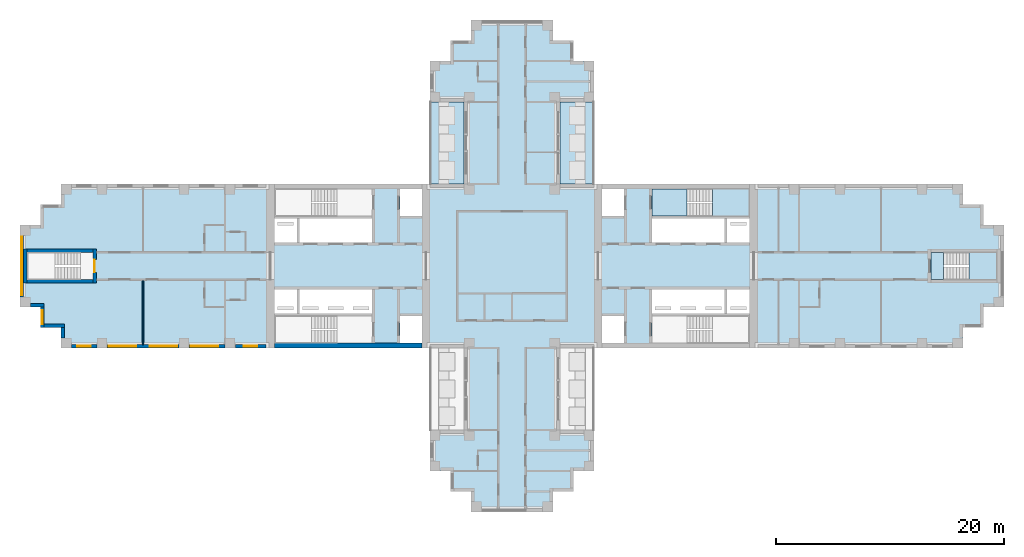
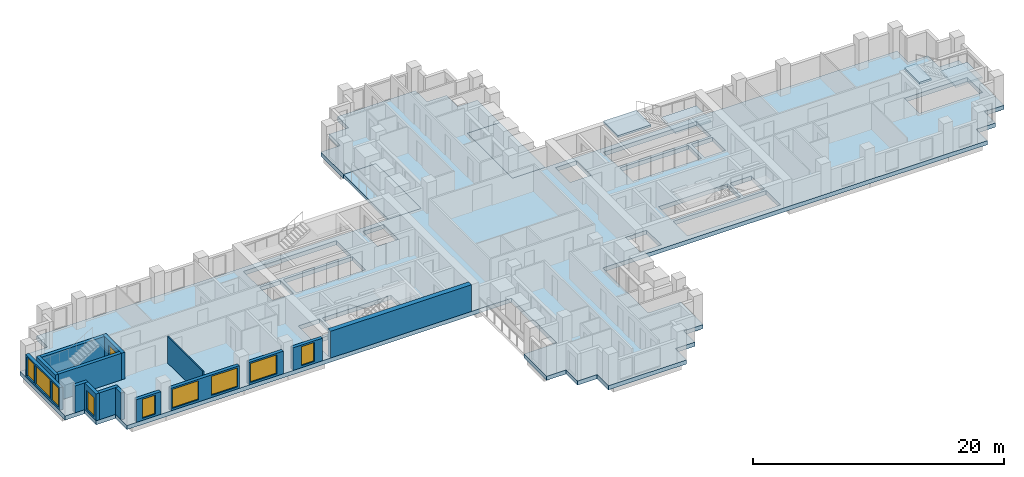
# One storey, part 2 of 11: 15 walls, 9 windows, 7 slabs, 1 door, 10 openings, 2 elements without a shape of their own.
"""IFC4 building model written with IfcOpenShell, lengths in metres."""

from ifc_helpers import new_model, si_unit, direction, frame, frame_2d, origin, place, context, subcontext, project, spatial, polyline, rectangle, outline, extrude, material, layer, layer_set, type_object, element, fill, aggregate, save


model = new_model("IFC4")

# Units and contexts
model_context = context("Model", 3, precision=1e-05, world=origin(), true_north=direction((0.0, 1.0)))
body_context = subcontext(model_context, "Body", "Model", "MODEL_VIEW")
ifc_project = project(units=[si_unit("LENGTHUNIT", "METRE"), si_unit("AREAUNIT", "SQUARE_METRE"), si_unit("VOLUMEUNIT", "CUBIC_METRE"), si_unit("PLANEANGLEUNIT", "RADIAN"), si_unit("MASSUNIT", "GRAM", prefix="KILO")], contexts=[model_context])

# Site, building, storey
site_placement = place(None, origin())
site = spatial("IfcSite", under=ifc_project, at=site_placement, CompositionType="ELEMENT")
building_placement = place(site_placement, origin())
building = spatial("IfcBuilding", under=site, at=building_placement, Name="Fustian Cross Tower", CompositionType="ELEMENT")
storey_placement = place(building_placement, frame((0.0, 0.0, 120.300048828125)))
storey = spatial("IfcBuildingStorey", under=building, at=storey_placement, Name="L37", CompositionType="ELEMENT", Elevation=120.300048828125)

# Slabs
ifc_material_1 = material(Name="Concrete C40/50", Category="concrete")
ifc_layer_1 = layer(ifc_material_1, 0.300048828125)
ifc_layer_set_1 = layer_set([ifc_layer_1], Name="Concrete C40/50")
slab_type_1 = type_object("IfcSlabType", Name="BS1 BALCONY SLAB 300", PredefinedType="FLOOR", material=ifc_layer_set_1)
slab_1_placement = place(storey_placement, frame((0.0, 0.0, -0.300048828125)))
element("IfcSlab", 1, at=slab_1_placement, inside=storey, type_object=slab_type_1, Name="Balcony slab", PredefinedType="FLOOR", context=body_context, shape_type="SweptSolid", body=[
    extrude(outline(polyline([(4.199951171875, 7.199951171875), (7.199951171875, 7.199951171875), (7.199951171875, 14.39990234375), (4.199951171875, 14.39990234375), (4.199951171875, 7.199951171875)])), origin(), (0.0, 0.0, 1.0), 0.300048828125),
])
slab_2_placement = place(storey_placement, frame((0.0, 0.0, -0.300048828125)))
element("IfcSlab", 2, at=slab_2_placement, inside=storey, type_object=slab_type_1, Name="Balcony slab", PredefinedType="FLOOR", context=body_context, shape_type="SweptSolid", body=[
    extrude(outline(polyline([(-7.199951171875, 7.199951171875), (-4.199951171875, 7.199951171875), (-4.199951171875, 14.39990234375), (-7.199951171875, 14.39990234375), (-7.199951171875, 7.199951171875)])), origin(), (0.0, 0.0, 1.0), 0.300048828125),
])
ifc_material_2 = material(Name="Concrete C40/50", Category="concrete")
ifc_layer_2 = layer(ifc_material_2, 0.39990234375)
ifc_layer_set_2 = layer_set([ifc_layer_2], Name="Concrete C40/50")
slab_type_2 = type_object("IfcSlabType", Name="FLAT SLAB 400", PredefinedType="FLOOR", material=ifc_layer_set_2)
slab_3_placement = place(storey_placement, frame((0.0, 0.0, -0.400146484375)))
element("IfcSlab", 3, at=slab_3_placement, inside=storey, type_object=slab_type_2, Name="FLOOR SLAB L37-1", PredefinedType="FLOOR", context=body_context, shape_type="SweptSolid", body=[
    extrude(outline(polyline([(-4.199951171875, -7.199951171875), (-39.60009765625, -7.199951171875), (-39.60009765625, -5.39990234375), (-41.39990234375, -5.39990234375), (-41.39990234375, -3.60009765625), (-43.199951171875, -3.60009765625), (-43.199951171875, 3.60009765625), (-41.39990234375, 3.60009765625), (-41.39990234375, 5.39990234375), (-39.60009765625, 5.39990234375), (-39.60009765625, 7.199951171875), (-4.199951171875, 7.199951171875), (-4.199951171875, 14.39990234375), (-7.199951171875, 14.39990234375), (-7.199951171875, 18.0), (-5.39990234375, 18.0), (-5.39990234375, 19.800048828125), (-3.60009765625, 19.800048828125), (-3.60009765625, 21.60009765625), (3.60009765625, 21.60009765625), (3.60009765625, 19.800048828125), (5.39990234375, 19.800048828125), (5.39990234375, 18.0), (7.199951171875, 18.0), (7.199951171875, 14.39990234375), (4.199951171875, 14.39990234375), (4.199951171875, 7.199951171875), (39.60009765625, 7.199951171875), (39.60009765625, 5.39990234375), (41.39990234375, 5.39990234375), (41.39990234375, 3.60009765625), (43.199951171875, 3.60009765625), (43.199951171875, -3.60009765625), (41.39990234375, -3.60009765625), (41.39990234375, -5.39990234375), (39.60009765625, -5.39990234375), (39.60009765625, -7.199951171875), (4.199951171875, -7.199951171875), (4.199951171875, -14.39990234375), (7.199951171875, -14.39990234375), (7.199951171875, -18.0), (5.39990234375, -18.0), (5.39990234375, -19.800048828125), (3.60009765625, -19.800048828125), (3.60009765625, -21.60009765625), (-3.60009765625, -21.60009765625), (-3.60009765625, -19.800048828125), (-5.39990234375, -19.800048828125), (-5.39990234375, -18.0), (-7.199951171875, -18.0), (-7.199951171875, -14.39990234375), (-4.199951171875, -14.39990234375), (-4.199951171875, -7.199951171875)]), holes=[polyline([(18.89990234375, -2.050048828125), (18.89990234375, -4.14990234375), (20.85009765625, -4.14990234375), (20.85009765625, -2.050048828125), (18.89990234375, -2.050048828125)]), polyline([(20.85009765625, 4.14990234375), (18.89990234375, 4.14990234375), (18.89990234375, 2.050048828125), (20.85009765625, 2.050048828125), (20.85009765625, 4.14990234375)]), polyline([(9.85009765625, 4.39990234375), (9.85009765625, 6.75), (7.89990234375, 6.75), (7.89990234375, 4.39990234375), (9.85009765625, 4.39990234375)]), polyline([(7.89990234375, -6.75), (9.85009765625, -6.75), (9.85009765625, -4.39990234375), (7.89990234375, -4.39990234375), (7.89990234375, -6.75)]), polyline([(-20.85009765625, -2.050048828125), (-20.85009765625, -4.14990234375), (-18.89990234375, -4.14990234375), (-18.89990234375, -2.050048828125), (-20.85009765625, -2.050048828125)]), polyline([(-18.89990234375, 4.14990234375), (-20.85009765625, 4.14990234375), (-20.85009765625, 2.050048828125), (-18.89990234375, 2.050048828125), (-18.89990234375, 4.14990234375)]), polyline([(-7.89990234375, 4.39990234375), (-7.89990234375, 6.75), (-9.85009765625, 6.75), (-9.85009765625, 4.39990234375), (-7.89990234375, 4.39990234375)]), polyline([(-9.85009765625, -6.75), (-7.89990234375, -6.75), (-7.89990234375, -4.39990234375), (-9.85009765625, -4.39990234375), (-9.85009765625, -6.75)]), polyline([(12.300048828125, -2.050048828125), (12.300048828125, -4.14990234375), (18.64990234375, -4.14990234375), (18.64990234375, -2.050048828125), (12.300048828125, -2.050048828125)]), polyline([(18.64990234375, 4.14990234375), (12.300048828125, 4.14990234375), (12.300048828125, 2.050048828125), (18.64990234375, 2.050048828125), (18.64990234375, 4.14990234375)]), polyline([(-12.300048828125, -4.14990234375), (-12.300048828125, -2.050048828125), (-18.64990234375, -2.050048828125), (-18.64990234375, -4.14990234375), (-12.300048828125, -4.14990234375)]), polyline([(-18.64990234375, 2.050048828125), (-12.300048828125, 2.050048828125), (-12.300048828125, 4.14990234375), (-18.64990234375, 4.14990234375), (-18.64990234375, 2.050048828125)]), polyline([(12.300048828125, 6.699951171875), (12.300048828125, 4.39990234375), (20.85009765625, 4.39990234375), (20.85009765625, 6.699951171875), (12.300048828125, 6.699951171875)]), polyline([(20.85009765625, -4.39990234375), (12.300048828125, -4.39990234375), (12.300048828125, -6.699951171875), (20.85009765625, -6.699951171875), (20.85009765625, -4.39990234375)]), polyline([(-12.300048828125, 4.39990234375), (-12.300048828125, 6.699951171875), (-20.85009765625, 6.699951171875), (-20.85009765625, 4.39990234375), (-12.300048828125, 4.39990234375)]), polyline([(-20.85009765625, -6.699951171875), (-12.300048828125, -6.699951171875), (-12.300048828125, -4.39990234375), (-20.85009765625, -4.39990234375), (-20.85009765625, -6.699951171875)]), polyline([(36.800048828125, 1.199951171875), (36.800048828125, -1.199951171875), (42.60009765625, -1.199951171875), (42.60009765625, 1.199951171875), (36.800048828125, 1.199951171875)]), polyline([(-36.800048828125, 1.199951171875), (-42.60009765625, 1.199951171875), (-42.60009765625, -1.199951171875), (-36.800048828125, -1.199951171875), (-36.800048828125, 1.199951171875)])]), origin(), (0.0, 0.0, 1.0), 0.400146484375),
])

# Stair, slabs
ifc_material_3 = material(Name="Concrete C50/60", Category="concrete")
stair_type_1 = type_object("IfcStairType", Name="STAIR 1150 HALF TURN", PredefinedType="HALF_TURN_STAIR", material=ifc_material_3)
stair_1_placement = place(storey_placement, origin())
stair_1 = element("IfcStair", 4, at=stair_1_placement, inside=storey, type_object=stair_type_1, Name="Stair ST1", PredefinedType="HALF_TURN_STAIR")
ifc_material_4 = material(Name="Concrete C50/60", Category="concrete")
ifc_layer_3 = layer(ifc_material_4, 0.199951171875)
ifc_layer_set_3 = layer_set([ifc_layer_3], Name="Concrete C50/60")
slab_type_3 = type_object("IfcSlabType", Name="STAIR LANDING", PredefinedType="LANDING", material=ifc_layer_set_3)
slab_4_placement = place(storey_placement, frame((0.0, 0.0, 1.300048828125)))
slab_4 = element("IfcSlab", 5, at=slab_4_placement, type_object=slab_type_3, Name="ST1 landing 1", PredefinedType="LANDING", context=body_context, shape_type="SweptSolid", body=[
    extrude(outline(polyline([(17.590087890625, 4.39990234375), (20.85009765625, 4.39990234375), (20.85009765625, 6.75), (17.590087890625, 6.75), (17.590087890625, 4.39990234375)])), origin(), (0.0, 0.0, 1.0), 0.199951171875),
])
slab_5_placement = place(storey_placement, frame((0.0, 0.0, 2.800048828125)))
slab_5 = element("IfcSlab", 6, at=slab_5_placement, type_object=slab_type_3, Name="ST1 landing 2", PredefinedType="LANDING", context=body_context, shape_type="SweptSolid", body=[
    extrude(outline(polyline([(12.300048828125, 4.39990234375), (15.35009765625, 4.39990234375), (15.35009765625, 6.75), (12.300048828125, 6.75), (12.300048828125, 4.39990234375)])), origin(), (0.0, 0.0, 1.0), 0.199951171875),
])
aggregate(stair_1, [slab_4, slab_5])

ifc_material_5 = material(Name="Concrete C50/60", Category="concrete")
stair_type_2 = type_object("IfcStairType", Name="STAIR 1100 HALF TURN", PredefinedType="HALF_TURN_STAIR", material=ifc_material_5)
stair_2_placement = place(storey_placement, origin())
stair_2 = element("IfcStair", 7, at=stair_2_placement, inside=storey, type_object=stair_type_2, Name="Stair ST8", PredefinedType="HALF_TURN_STAIR")
slab_6_placement = place(storey_placement, frame((0.0, 0.0, 1.300048828125)))
slab_6 = element("IfcSlab", 8, at=slab_6_placement, type_object=slab_type_3, Name="ST8 landing 1", PredefinedType="LANDING", context=body_context, shape_type="SweptSolid", body=[
    extrude(outline(polyline([(40.139892578125, -1.199951171875), (42.60009765625, -1.199951171875), (42.60009765625, 1.199951171875), (40.139892578125, 1.199951171875), (40.139892578125, -1.199951171875)])), origin(), (0.0, 0.0, 1.0), 0.199951171875),
])
slab_7_placement = place(storey_placement, frame((0.0, 0.0, 2.800048828125)))
slab_7 = element("IfcSlab", 9, at=slab_7_placement, type_object=slab_type_3, Name="ST8 landing 2", PredefinedType="LANDING", context=body_context, shape_type="SweptSolid", body=[
    extrude(outline(polyline([(36.800048828125, -1.199951171875), (37.89990234375, -1.199951171875), (37.89990234375, 1.199951171875), (36.800048828125, 1.199951171875), (36.800048828125, -1.199951171875)])), origin(), (0.0, 0.0, 1.0), 0.199951171875),
])
aggregate(stair_2, [slab_6, slab_7])

# Walls
ifc_material_6 = material(Name="Concrete C60/75", Category="concrete")
ifc_layer_4 = layer(ifc_material_6, 0.449951171875)
ifc_layer_set_4 = layer_set([ifc_layer_4], Name="Concrete C60/75")
wall_type_1 = type_object("IfcWallType", Name="CORE FACADE WALL 450 C60/75", PredefinedType="SHEAR", material=ifc_layer_set_4)
wall_1_placement = place(storey_placement, frame((-7.89990234375, -6.97509765625, 0.0), z_axis=(0.0, 0.0, 1.0), x_axis=(-1.0, 0.0, 0.0)))
element("IfcWall", 10, at=wall_1_placement, inside=storey, type_object=wall_type_1, Name="Core facade wall", PredefinedType="SHEAR", context=body_context, shape_type="SweptSolid", body=[
    extrude(rectangle(XDim=12.9501953125, YDim=0.449951171875, at=frame_2d((6.47509765625, 0.0))), origin(), (0.0, 0.0, 1.0), 2.599853515625),
])
ifc_material_7 = material(Name="Plasterboard on steel stud", Category="steel")
ifc_layer_5 = layer(ifc_material_7, 0.10009765625)
ifc_layer_set_5 = layer_set([ifc_layer_5], Name="Plasterboard on steel stud")
wall_type_2 = type_object("IfcWallType", Name="PARTITION 100 STUD", PredefinedType="PARTITIONING", material=ifc_layer_set_5)
wall_2_placement = place(storey_placement, frame((-32.39990234375, -6.89990234375, 0.0), z_axis=(0.0, 0.0, 1.0), x_axis=(0.0, 1.0, 0.0)))
element("IfcWall", 11, at=wall_2_placement, inside=storey, type_object=wall_type_2, Name="Partition 3", PredefinedType="PARTITIONING", context=body_context, shape_type="SweptSolid", body=[
    extrude(rectangle(XDim=5.625, YDim=0.10009765625, at=frame_2d((2.8125, 0.0))), origin(), (0.0, 0.0, 1.0), 2.599853515625),
])

# Wall, opening, door
ifc_material_8 = material(Name="Concrete C50/60", Category="concrete")
ifc_layer_6 = layer(ifc_material_8, 0.300048828125)
ifc_layer_set_6 = layer_set([ifc_layer_6], Name="Concrete C50/60")
wall_type_3 = type_object("IfcWallType", Name="STAIR ENCLOSURE WALL 300 C50/60", PredefinedType="SHEAR", material=ifc_layer_set_6)
wall_3_placement = place(storey_placement, frame((-36.64990234375, -1.5, 0.0), z_axis=(0.0, 0.0, 1.0), x_axis=(0.0, 1.0, 0.0)))
wall_3 = element("IfcWall", 12, at=wall_3_placement, inside=storey, type_object=wall_type_3, Name="Stair enclosure wall", PredefinedType="SHEAR", context=body_context, shape_type="SweptSolid", body=[
    extrude(rectangle(XDim=3.0, YDim=0.300048828125, at=frame_2d((1.5, 0.0))), origin(), (0.0, 0.0, 1.0), 2.599853515625),
])
opening_1_placement = place(wall_3_placement, frame((0.949951171875, 0.0, 0.0)))
opening_1 = element("IfcOpeningElement", 13, at=opening_1_placement, cuts=wall_3, Name="Opening CD-15-28", PredefinedType="OPENING", context=body_context, shape_type="SweptSolid", body=[
    extrude(rectangle(XDim=1.10009765625, YDim=2.10009765625, at=frame_2d((0.550048828125, 1.050048828125))), frame((0.0, 0.159912109375, 0.0), z_axis=(0.0, -1.0, 0.0), x_axis=(1.0, 0.0, 0.0)), (0.0, 0.0, 1.0), 0.320068359375),
])
ifc_material_9 = material(Name="Steel", Category="steel")
door_type = type_object("IfcDoorType", Name="FIRE DOOR FD60S 1100X2100", OperationType="SINGLE_SWING_LEFT", PredefinedType="DOOR", material=ifc_material_9)
door_placement = place(opening_1_placement, origin())
door = element("IfcDoor", 14, at=door_placement, inside=storey, type_object=door_type, Name="Core door CD-15-28", OperationType="SINGLE_SWING_LEFT", OverallHeight=2.10009765625, OverallWidth=1.10009765625, PredefinedType="DOOR", context=body_context, shape_type="SweptSolid", body=[
    extrude(rectangle(XDim=1.10009765625, YDim=2.10009765625, at=frame_2d((0.550048828125, 1.050048828125))), frame((0.0, 0.02490234375, 0.0), z_axis=(0.0, -1.0, 0.0), x_axis=(1.0, 0.0, 0.0)), (0.0, 0.0, 1.0), 0.050048828125),
])
fill(opening_1, door)

# Walls
wall_4_placement = place(storey_placement, frame((-42.75, -1.5, 0.0), z_axis=(0.0, 0.0, 1.0), x_axis=(0.0, 1.0, 0.0)))
element("IfcWall", 15, at=wall_4_placement, inside=storey, type_object=wall_type_3, Name="Stair enclosure wall", PredefinedType="SHEAR", context=body_context, shape_type="SweptSolid", body=[
    extrude(rectangle(XDim=3.0, YDim=0.300048828125, at=frame_2d((1.5, 0.0))), origin(), (0.0, 0.0, 1.0), 2.599853515625),
])
for number, where, z_axis, x_axis, name in (
    (16, (-36.800048828125, -1.35009765625, 0.0), (0.0, 0.0, 1.0), (-1.0, 0.0, 0.0), "Stair enclosure wall"),
    (17, (-36.800048828125, 1.35009765625, 0.0), (0.0, 0.0, 1.0), (-1.0, 0.0, 0.0), "Stair enclosure wall"),
):
    element("IfcWall", number, at=place(storey_placement, frame(where, z_axis=z_axis, x_axis=x_axis)), inside=storey, type_object=wall_type_3, Name=name, PredefinedType="SHEAR", context=body_context, shape_type="SweptSolid", body=[
        extrude(rectangle(XDim=5.800048828125, YDim=0.300048828125, at=frame_2d((2.89990234375, 0.0))), origin(), (0.0, 0.0, 1.0), 2.599853515625),
    ])

# Wall, openings, windows
ifc_material_10 = material(Name="Dark aluminium cladding on insulated backing wall", Category="aluminium")
ifc_layer_7 = layer(ifc_material_10, 0.300048828125)
ifc_layer_set_7 = layer_set([ifc_layer_7], Name="Dark aluminium cladding on insulated backing wall")
wall_type_4 = type_object("IfcWallType", Name="XW1 EXTERNAL WALL 300", PredefinedType="SOLIDWALL", material=ifc_layer_set_7)
wall_5_placement = place(storey_placement, frame((-43.050048828125, 2.699951171875, 0.0), z_axis=(0.0, 0.0, 1.0), x_axis=(0.0, -1.0, 0.0)))
wall_5 = element("IfcWall", 18, at=wall_5_placement, inside=storey, type_object=wall_type_4, Name="External wall", PredefinedType="SOLIDWALL", context=body_context, shape_type="SweptSolid", body=[
    extrude(rectangle(XDim=5.39990234375, YDim=0.300048828125, at=frame_2d((2.699951171875, 0.0))), origin(), (0.0, 0.0, 1.0), 2.199951171875),
])
opening_2_placement = place(wall_5_placement, frame((1.5, 0.0, 0.199951171875)))
opening_2 = element("IfcOpeningElement", 19, at=opening_2_placement, cuts=wall_5, Name="Opening WN1", PredefinedType="OPENING", context=body_context, shape_type="SweptSolid", body=[
    extrude(rectangle(XDim=2.39990234375, YDim=1.85009765625, at=frame_2d((1.199951171875, 0.925048828125))), frame((0.0, 0.159912109375, 0.0), z_axis=(0.0, -1.0, 0.0), x_axis=(1.0, 0.0, 0.0)), (0.0, 0.0, 1.0), 0.320068359375),
])
opening_3_placement = place(wall_5_placement, frame((0.14990234375, 0.0, 0.199951171875)))
opening_3 = element("IfcOpeningElement", 20, at=opening_3_placement, cuts=wall_5, Name="Opening WN3", PredefinedType="OPENING", context=body_context, shape_type="SweptSolid", body=[
    extrude(rectangle(XDim=1.199951171875, YDim=1.85009765625, at=frame_2d((0.60009765625, 0.925048828125))), frame((0.0, 0.159912109375, 0.0), z_axis=(0.0, -1.0, 0.0), x_axis=(1.0, 0.0, 0.0)), (0.0, 0.0, 1.0), 0.320068359375),
])
opening_4_placement = place(wall_5_placement, frame((4.050048828125, 0.0, 0.199951171875)))
opening_4 = element("IfcOpeningElement", 21, at=opening_4_placement, cuts=wall_5, Name="Opening WN3", PredefinedType="OPENING", context=body_context, shape_type="SweptSolid", body=[
    extrude(rectangle(XDim=1.199951171875, YDim=1.85009765625, at=frame_2d((0.60009765625, 0.925048828125))), frame((0.0, 0.159912109375, 0.0), z_axis=(0.0, -1.0, 0.0), x_axis=(1.0, 0.0, 0.0)), (0.0, 0.0, 1.0), 0.320068359375),
])
ifc_material_11 = material(Name="Dark anodised aluminium and double glazing", Category="aluminium")
window_type_1 = type_object("IfcWindowType", Name="WN1 WINDOW 2400X1850", PartitioningType="SINGLE_PANEL", PredefinedType="WINDOW", material=ifc_material_11)
window_1_placement = place(opening_2_placement, origin())
window_1 = element("IfcWindow", 22, at=window_1_placement, inside=storey, type_object=window_type_1, Name="Window", OverallHeight=1.85009765625, OverallWidth=2.39990234375, PartitioningType="SINGLE_PANEL", PredefinedType="WINDOW", context=body_context, shape_type="SweptSolid", body=[
    extrude(rectangle(XDim=2.39990234375, YDim=1.85009765625, at=frame_2d((1.199951171875, 0.925048828125))), frame((0.0, 0.030029296875, 0.0), z_axis=(0.0, -1.0, 0.0), x_axis=(1.0, 0.0, 0.0)), (0.0, 0.0, 1.0), 0.06005859375),
])
fill(opening_2, window_1)
ifc_material_12 = material(Name="Dark anodised aluminium and double glazing", Category="aluminium")
window_type_2 = type_object("IfcWindowType", Name="WN3 WINDOW 1200X1850", PartitioningType="SINGLE_PANEL", PredefinedType="WINDOW", material=ifc_material_12)
window_2_placement = place(opening_3_placement, origin())
window_2 = element("IfcWindow", 23, at=window_2_placement, inside=storey, type_object=window_type_2, Name="Window", OverallHeight=1.85009765625, OverallWidth=1.199951171875, PartitioningType="SINGLE_PANEL", PredefinedType="WINDOW", context=body_context, shape_type="SweptSolid", body=[
    extrude(rectangle(XDim=1.199951171875, YDim=1.85009765625, at=frame_2d((0.60009765625, 0.925048828125))), frame((0.0, 0.030029296875, 0.0), z_axis=(0.0, -1.0, 0.0), x_axis=(1.0, 0.0, 0.0)), (0.0, 0.0, 1.0), 0.06005859375),
])
fill(opening_3, window_2)
window_3_placement = place(opening_4_placement, origin())
window_3 = element("IfcWindow", 24, at=window_3_placement, inside=storey, type_object=window_type_2, Name="Window", OverallHeight=1.85009765625, OverallWidth=1.199951171875, PartitioningType="SINGLE_PANEL", PredefinedType="WINDOW", context=body_context, shape_type="SweptSolid", body=[
    extrude(rectangle(XDim=1.199951171875, YDim=1.85009765625, at=frame_2d((0.60009765625, 0.925048828125))), frame((0.0, 0.030029296875, 0.0), z_axis=(0.0, -1.0, 0.0), x_axis=(1.0, 0.0, 0.0)), (0.0, 0.0, 1.0), 0.06005859375),
])
fill(opening_4, window_3)

# Wall
wall_6_placement = place(storey_placement, frame((-42.300048828125, -3.449951171875, 0.0), z_axis=(0.0, 0.0, 1.0), x_axis=(1.0, 0.0, 0.0)))
element("IfcWall", 25, at=wall_6_placement, inside=storey, type_object=wall_type_4, Name="External wall", PredefinedType="SOLIDWALL", context=body_context, shape_type="SweptSolid", body=[
    extrude(rectangle(XDim=1.199951171875, YDim=0.300048828125, at=frame_2d((0.60009765625, 0.0))), origin(), (0.0, 0.0, 1.0), 2.599853515625),
])

# Wall, opening, window
wall_7_placement = place(storey_placement, frame((-41.25, -3.60009765625, 0.0), z_axis=(0.0, 0.0, 1.0), x_axis=(0.0, -1.0, 0.0)))
wall_7 = element("IfcWall", 26, at=wall_7_placement, inside=storey, type_object=wall_type_4, Name="External wall", PredefinedType="SOLIDWALL", context=body_context, shape_type="SweptSolid", body=[
    extrude(rectangle(XDim=1.7998046875, YDim=0.300048828125, at=frame_2d((0.89990234375, 0.0))), origin(), (0.0, 0.0, 1.0), 2.599853515625),
])
opening_5_placement = place(wall_7_placement, frame((0.300048828125, 0.0, 0.199951171875)))
opening_5 = element("IfcOpeningElement", 27, at=opening_5_placement, cuts=wall_7, Name="Opening WN3", PredefinedType="OPENING", context=body_context, shape_type="SweptSolid", body=[
    extrude(rectangle(XDim=1.199951171875, YDim=1.85009765625, at=frame_2d((0.60009765625, 0.925048828125))), frame((0.0, 0.159912109375, 0.0), z_axis=(0.0, -1.0, 0.0), x_axis=(1.0, 0.0, 0.0)), (0.0, 0.0, 1.0), 0.320068359375),
])
window_4_placement = place(opening_5_placement, origin())
window_4 = element("IfcWindow", 28, at=window_4_placement, inside=storey, type_object=window_type_2, Name="Window", OverallHeight=1.85009765625, OverallWidth=1.199951171875, PartitioningType="SINGLE_PANEL", PredefinedType="WINDOW", context=body_context, shape_type="SweptSolid", body=[
    extrude(rectangle(XDim=1.199951171875, YDim=1.85009765625, at=frame_2d((0.60009765625, 0.925048828125))), frame((0.0, 0.030029296875, 0.0), z_axis=(0.0, -1.0, 0.0), x_axis=(1.0, 0.0, 0.0)), (0.0, 0.0, 1.0), 0.06005859375),
])
fill(opening_5, window_4)

# Walls
wall_8_placement = place(storey_placement, frame((-41.10009765625, -5.25, 0.0), z_axis=(0.0, 0.0, 1.0), x_axis=(1.0, 0.0, 0.0)))
element("IfcWall", 29, at=wall_8_placement, inside=storey, type_object=wall_type_4, Name="External wall", PredefinedType="SOLIDWALL", context=body_context, shape_type="SweptSolid", body=[
    extrude(rectangle(XDim=1.800048828125, YDim=0.300048828125, at=frame_2d((0.89990234375, 0.0))), origin(), (0.0, 0.0, 1.0), 2.599853515625),
])
wall_9_placement = place(storey_placement, frame((-39.449951171875, -5.39990234375, 0.0), z_axis=(0.0, 0.0, 1.0), x_axis=(0.0, -1.0, 0.0)))
element("IfcWall", 30, at=wall_9_placement, inside=storey, type_object=wall_type_4, Name="External wall", PredefinedType="SOLIDWALL", context=body_context, shape_type="SweptSolid", body=[
    extrude(rectangle(XDim=0.900146484375, YDim=0.300048828125, at=frame_2d((0.4501953125, 0.0))), origin(), (0.0, 0.0, 1.0), 2.599853515625),
])

# Wall, opening, window
wall_10_placement = place(storey_placement, frame((-38.699951171875, -7.050048828125, 0.0), z_axis=(0.0, 0.0, 1.0), x_axis=(1.0, 0.0, 0.0)))
wall_10 = element("IfcWall", 31, at=wall_10_placement, inside=storey, type_object=wall_type_4, Name="External wall", PredefinedType="SOLIDWALL", context=body_context, shape_type="SweptSolid", body=[
    extrude(rectangle(XDim=2.25, YDim=0.300048828125, at=frame_2d((1.125, 0.0))), origin(), (0.0, 0.0, 1.0), 2.199951171875),
])
opening_6_placement = place(wall_10_placement, frame((0.52490234375, 0.0, 0.199951171875)))
opening_6 = element("IfcOpeningElement", 32, at=opening_6_placement, cuts=wall_10, Name="Opening WN3", PredefinedType="OPENING", context=body_context, shape_type="SweptSolid", body=[
    extrude(rectangle(XDim=1.199951171875, YDim=1.85009765625, at=frame_2d((0.60009765625, 0.925048828125))), frame((0.0, 0.159912109375, 0.0), z_axis=(0.0, -1.0, 0.0), x_axis=(1.0, 0.0, 0.0)), (0.0, 0.0, 1.0), 0.320068359375),
])
window_5_placement = place(opening_6_placement, origin())
window_5 = element("IfcWindow", 33, at=window_5_placement, inside=storey, type_object=window_type_2, Name="Window", OverallHeight=1.85009765625, OverallWidth=1.199951171875, PartitioningType="SINGLE_PANEL", PredefinedType="WINDOW", context=body_context, shape_type="SweptSolid", body=[
    extrude(rectangle(XDim=1.199951171875, YDim=1.85009765625, at=frame_2d((0.60009765625, 0.925048828125))), frame((0.0, 0.030029296875, 0.0), z_axis=(0.0, -1.0, 0.0), x_axis=(1.0, 0.0, 0.0)), (0.0, 0.0, 1.0), 0.06005859375),
])
fill(opening_6, window_5)

# Wall, openings, windows
wall_11_placement = place(storey_placement, frame((-35.550048828125, -7.050048828125, 0.0), z_axis=(0.0, 0.0, 1.0), x_axis=(1.0, 0.0, 0.0)))
wall_11 = element("IfcWall", 34, at=wall_11_placement, inside=storey, type_object=wall_type_4, Name="External wall", PredefinedType="SOLIDWALL", context=body_context, shape_type="SweptSolid", body=[
    extrude(rectangle(XDim=6.300048828125, YDim=0.300048828125, at=frame_2d((3.14990234375, 0.0))), origin(), (0.0, 0.0, 1.0), 2.199951171875),
])
opening_7_placement = place(wall_11_placement, frame((0.14990234375, 0.0, 0.199951171875)))
opening_7 = element("IfcOpeningElement", 35, at=opening_7_placement, cuts=wall_11, Name="Opening WN1", PredefinedType="OPENING", context=body_context, shape_type="SweptSolid", body=[
    extrude(rectangle(XDim=2.39990234375, YDim=1.85009765625, at=frame_2d((1.199951171875, 0.925048828125))), frame((0.0, 0.159912109375, 0.0), z_axis=(0.0, -1.0, 0.0), x_axis=(1.0, 0.0, 0.0)), (0.0, 0.0, 1.0), 0.320068359375),
])
opening_8_placement = place(wall_11_placement, frame((3.75, 0.0, 0.199951171875)))
opening_8 = element("IfcOpeningElement", 36, at=opening_8_placement, cuts=wall_11, Name="Opening WN1", PredefinedType="OPENING", context=body_context, shape_type="SweptSolid", body=[
    extrude(rectangle(XDim=2.39990234375, YDim=1.85009765625, at=frame_2d((1.199951171875, 0.925048828125))), frame((0.0, 0.159912109375, 0.0), z_axis=(0.0, -1.0, 0.0), x_axis=(1.0, 0.0, 0.0)), (0.0, 0.0, 1.0), 0.320068359375),
])
window_6_placement = place(opening_7_placement, origin())
window_6 = element("IfcWindow", 37, at=window_6_placement, inside=storey, type_object=window_type_1, Name="Window", OverallHeight=1.85009765625, OverallWidth=2.39990234375, PartitioningType="SINGLE_PANEL", PredefinedType="WINDOW", context=body_context, shape_type="SweptSolid", body=[
    extrude(rectangle(XDim=2.39990234375, YDim=1.85009765625, at=frame_2d((1.199951171875, 0.925048828125))), frame((0.0, 0.030029296875, 0.0), z_axis=(0.0, -1.0, 0.0), x_axis=(1.0, 0.0, 0.0)), (0.0, 0.0, 1.0), 0.06005859375),
])
fill(opening_7, window_6)
window_7_placement = place(opening_8_placement, origin())
window_7 = element("IfcWindow", 38, at=window_7_placement, inside=storey, type_object=window_type_1, Name="Window", OverallHeight=1.85009765625, OverallWidth=2.39990234375, PartitioningType="SINGLE_PANEL", PredefinedType="WINDOW", context=body_context, shape_type="SweptSolid", body=[
    extrude(rectangle(XDim=2.39990234375, YDim=1.85009765625, at=frame_2d((1.199951171875, 0.925048828125))), frame((0.0, 0.030029296875, 0.0), z_axis=(0.0, -1.0, 0.0), x_axis=(1.0, 0.0, 0.0)), (0.0, 0.0, 1.0), 0.06005859375),
])
fill(opening_8, window_7)

# Wall, opening, window
wall_12_placement = place(storey_placement, frame((-28.35009765625, -7.050048828125, 0.0), z_axis=(0.0, 0.0, 1.0), x_axis=(1.0, 0.0, 0.0)))
wall_12 = element("IfcWall", 39, at=wall_12_placement, inside=storey, type_object=wall_type_4, Name="External wall", PredefinedType="SOLIDWALL", context=body_context, shape_type="SweptSolid", body=[
    extrude(rectangle(XDim=3.150146484375, YDim=0.300048828125, at=frame_2d((1.5751953125, 0.0))), origin(), (0.0, 0.0, 1.0), 2.199951171875),
])
opening_9_placement = place(wall_12_placement, frame((0.14990234375, 0.0, 0.199951171875)))
opening_9 = element("IfcOpeningElement", 40, at=opening_9_placement, cuts=wall_12, Name="Opening WN1", PredefinedType="OPENING", context=body_context, shape_type="SweptSolid", body=[
    extrude(rectangle(XDim=2.39990234375, YDim=1.85009765625, at=frame_2d((1.199951171875, 0.925048828125))), frame((0.0, 0.159912109375, 0.0), z_axis=(0.0, -1.0, 0.0), x_axis=(1.0, 0.0, 0.0)), (0.0, 0.0, 1.0), 0.320068359375),
])
window_8_placement = place(opening_9_placement, origin())
window_8 = element("IfcWindow", 41, at=window_8_placement, inside=storey, type_object=window_type_1, Name="Window", OverallHeight=1.85009765625, OverallWidth=2.39990234375, PartitioningType="SINGLE_PANEL", PredefinedType="WINDOW", context=body_context, shape_type="SweptSolid", body=[
    extrude(rectangle(XDim=2.39990234375, YDim=1.85009765625, at=frame_2d((1.199951171875, 0.925048828125))), frame((0.0, 0.030029296875, 0.0), z_axis=(0.0, -1.0, 0.0), x_axis=(1.0, 0.0, 0.0)), (0.0, 0.0, 1.0), 0.06005859375),
])
fill(opening_9, window_8)

wall_13_placement = place(storey_placement, frame((-24.300048828125, -7.050048828125, 0.0), z_axis=(0.0, 0.0, 1.0), x_axis=(1.0, 0.0, 0.0)))
wall_13 = element("IfcWall", 42, at=wall_13_placement, inside=storey, type_object=wall_type_4, Name="External wall", PredefinedType="SOLIDWALL", context=body_context, shape_type="SweptSolid", body=[
    extrude(rectangle(XDim=2.699951171875, YDim=0.300048828125, at=frame_2d((1.35009765625, 0.0))), origin(), (0.0, 0.0, 1.0), 2.199951171875),
])
opening_10_placement = place(wall_13_placement, frame((0.75, 0.0, 0.199951171875)))
opening_10 = element("IfcOpeningElement", 43, at=opening_10_placement, cuts=wall_13, Name="Opening WN3", PredefinedType="OPENING", context=body_context, shape_type="SweptSolid", body=[
    extrude(rectangle(XDim=1.199951171875, YDim=1.85009765625, at=frame_2d((0.60009765625, 0.925048828125))), frame((0.0, 0.159912109375, 0.0), z_axis=(0.0, -1.0, 0.0), x_axis=(1.0, 0.0, 0.0)), (0.0, 0.0, 1.0), 0.320068359375),
])
window_9_placement = place(opening_10_placement, origin())
window_9 = element("IfcWindow", 44, at=window_9_placement, inside=storey, type_object=window_type_2, Name="Window", OverallHeight=1.85009765625, OverallWidth=1.199951171875, PartitioningType="SINGLE_PANEL", PredefinedType="WINDOW", context=body_context, shape_type="SweptSolid", body=[
    extrude(rectangle(XDim=1.199951171875, YDim=1.85009765625, at=frame_2d((0.60009765625, 0.925048828125))), frame((0.0, 0.030029296875, 0.0), z_axis=(0.0, -1.0, 0.0), x_axis=(1.0, 0.0, 0.0)), (0.0, 0.0, 1.0), 0.06005859375),
])
fill(opening_10, window_9)

save(model, "model.ifc")
